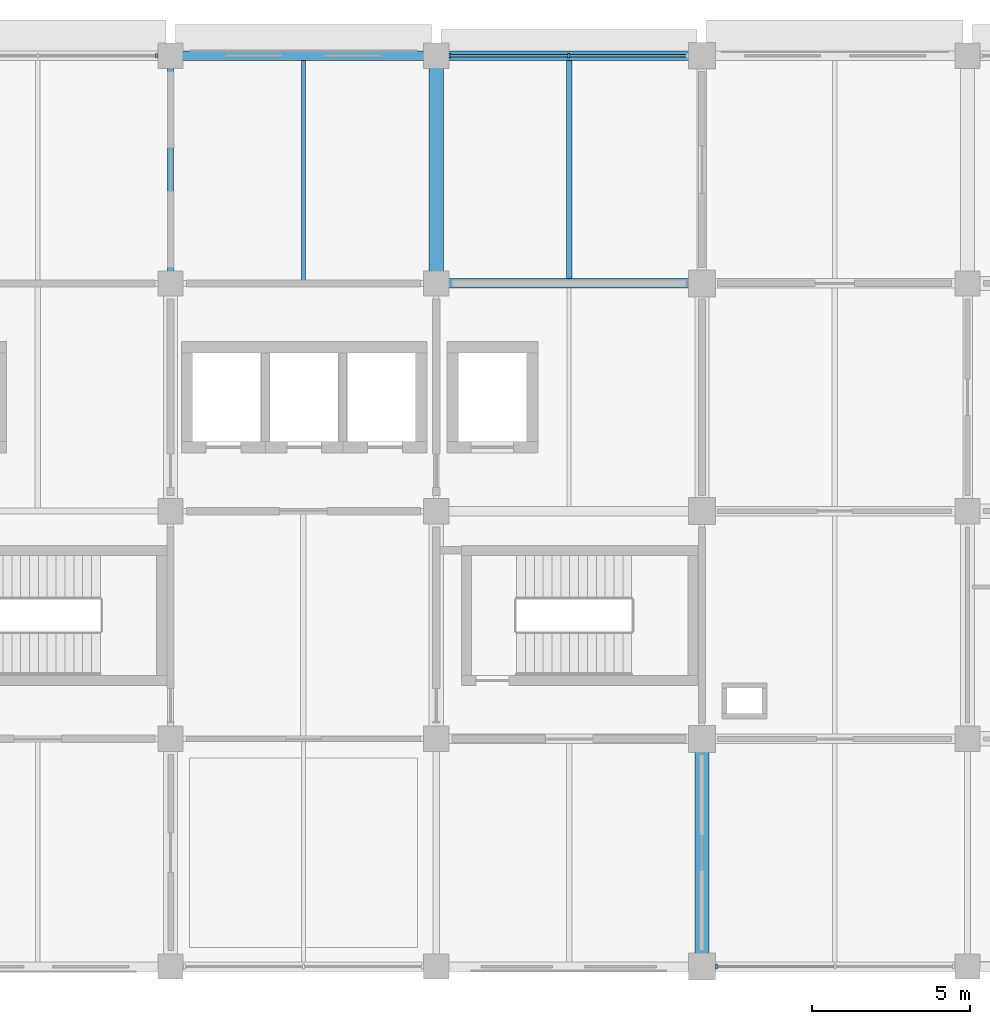
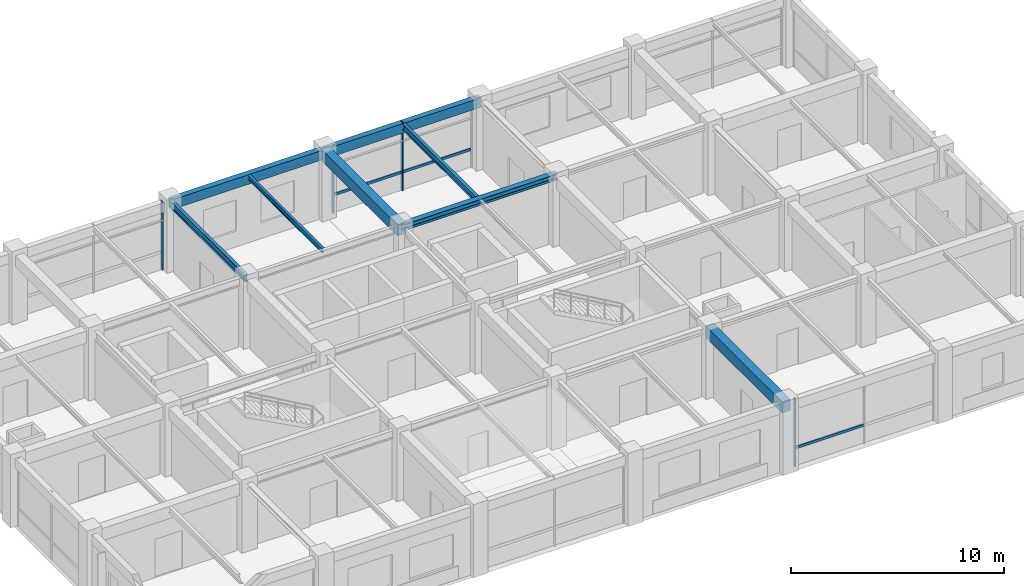
# One storey, part 5 of 13: 8 beams, 7 members, 3 elements without a shape of their own.
"""IFC4 building model written with IfcOpenShell, lengths in metres."""

from ifc_helpers import new_model, si_unit, derived_unit, direction, frame, origin, origin_2d, place, context, subcontext, project, spatial, rectangle, i_section, extrude, material, material_profile, profile_set, type_object, element, aggregate, save


model = new_model("IFC4")

# Units and contexts
model_context = context("Model", 3, precision=1e-05, world=origin(), true_north=direction((0.0, 1.0)))
body_context = subcontext(model_context, "Body", "Model", "MODEL_VIEW")
ifc_project = project(units=[si_unit("LENGTHUNIT", "METRE"), si_unit("AREAUNIT", "SQUARE_METRE"), si_unit("VOLUMEUNIT", "CUBIC_METRE"), si_unit("PLANEANGLEUNIT", "RADIAN"), si_unit("MASSUNIT", "GRAM", prefix="KILO"), derived_unit("THERMALTRANSMITTANCEUNIT", [(si_unit("MASSUNIT", "GRAM", prefix="KILO"), 1), (si_unit("TIMEUNIT", "SECOND"), -3), (si_unit("THERMODYNAMICTEMPERATUREUNIT", "KELVIN"), -1)])], contexts=[model_context])

# Site, building, storey
site_placement = place(None, origin())
site = spatial("IfcSite", under=ifc_project, at=site_placement, CompositionType="ELEMENT")
building_placement = place(site_placement, origin())
building = spatial("IfcBuilding", under=site, at=building_placement, Name="Veldstrom Oceanarium and Marine Research Institute", CompositionType="ELEMENT")
storey_placement = place(building_placement, frame((0.0, 0.0, 27.0)))
storey = spatial("IfcBuildingStorey", under=building, at=storey_placement, Name="L05", CompositionType="ELEMENT", Elevation=27.0)

# Curtain wall, member
ifc_material_1 = material(Name="Anodised Aluminium Framing", Category="aluminium")
curtain_wall_type = type_object("IfcCurtainWallType", Name="ARC-CW-CW04", PredefinedType="USERDEFINED", material=ifc_material_1)
curtain_wall_1_placement = place(storey_placement, origin())
curtain_wall_1 = element("IfcCurtainWall", 1, at=curtain_wall_1_placement, inside=storey, type_object=curtain_wall_type, Name="Curtain Wall CW04 CW-L05-093", ObjectType="Curtain wall", PredefinedType="USERDEFINED")
ifc_material_2 = material(Name="Anodised Aluminium Framing", Category="aluminium")
ifc_material_profile_1 = material_profile(ifc_material_2, rectangle(XDim=0.06494140625, YDim=0.14990234375, at=origin_2d()), Name="ALU-MUL-65x150")
ifc_profile_set_1 = profile_set([ifc_material_profile_1], Name="Anodised Aluminium Framing")
member_type_1 = type_object("IfcMemberType", Name="ARC-MUL-ML2", PredefinedType="MULLION", material=ifc_profile_set_1)
member_1_placement = place(storey_placement, frame((83.56005859375, 72.0, 0.0), z_axis=(0.0, 0.0, 1.0), x_axis=(1.0, 0.0, 0.0)))
member_1 = element("IfcMember", 2, at=member_1_placement, type_object=member_type_1, Name="Curtain Wall Mullion CW-L05-093-MUL-3", PredefinedType="MULLION", context=body_context, shape_type="SweptSolid", body=[
    extrude(rectangle(XDim=0.06494140625, YDim=0.14990234375, at=origin_2d()), origin(), (0.0, 0.0, 1.0), 3.919921875),
])
aggregate(curtain_wall_1, [member_1])

# Curtain wall, members
curtain_wall_2_placement = place(storey_placement, origin())
curtain_wall_2 = element("IfcCurtainWall", 3, at=curtain_wall_2_placement, inside=storey, type_object=curtain_wall_type, Name="Curtain Wall CW04 CW-L05-095", ObjectType="Curtain wall", PredefinedType="USERDEFINED")
member_2_placement = place(storey_placement, frame((92.840087890625, 72.0, 0.0), z_axis=(0.0, 0.0, 1.0), x_axis=(1.0, 0.0, 0.0)))
member_2 = element("IfcMember", 4, at=member_2_placement, type_object=member_type_1, Name="Curtain Wall Mullion CW-L05-095-MUL-1", PredefinedType="MULLION", context=body_context, shape_type="SweptSolid", body=[
    extrude(rectangle(XDim=0.06494140625, YDim=0.14990234375, at=origin_2d()), origin(), (0.0, 0.0, 1.0), 3.919921875),
])
member_3_placement = place(storey_placement, frame((96.58740234375, 72.0, 0.0), z_axis=(0.0, 0.0, 1.0), x_axis=(1.0, 0.0, 0.0)))
member_3 = element("IfcMember", 5, at=member_3_placement, type_object=member_type_1, Name="Curtain Wall Mullion CW-L05-095-MUL-2", PredefinedType="MULLION", context=body_context, shape_type="SweptSolid", body=[
    extrude(rectangle(XDim=0.06494140625, YDim=0.14990234375, at=origin_2d()), origin(), (0.0, 0.0, 1.0), 3.919921875),
])

# Curtain wall, member
curtain_wall_3_placement = place(storey_placement, origin())
curtain_wall_3 = element("IfcCurtainWall", 6, at=curtain_wall_3_placement, inside=storey, type_object=curtain_wall_type, Name="Curtain Wall CW04 CW-L05-096", ObjectType="Curtain wall", PredefinedType="USERDEFINED")
member_4_placement = place(storey_placement, frame((101.264892578125, 43.199951171875, 0.0), z_axis=(0.0, 0.0, 1.0), x_axis=(1.0, 0.0, 0.0)))
member_4 = element("IfcMember", 7, at=member_4_placement, type_object=member_type_1, Name="Curtain Wall Mullion CW-L05-096-MUL-1", PredefinedType="MULLION", context=body_context, shape_type="SweptSolid", body=[
    extrude(rectangle(XDim=0.06494140625, YDim=0.14990234375, at=origin_2d()), origin(), (0.0, 0.0, 1.0), 3.919921875),
])

# Member
ifc_material_3 = material(Name="Anodised Aluminium Framing", Category="aluminium")
ifc_material_profile_2 = material_profile(ifc_material_3, rectangle(XDim=0.074951171875, YDim=0.14990234375, at=origin_2d()), Name="ALU-TRN-75x150")
ifc_profile_set_2 = profile_set([ifc_material_profile_2], Name="Anodised Aluminium Framing")
member_type_2 = type_object("IfcMemberType", Name="ARC-TRN-TR1", PredefinedType="USERDEFINED", material=ifc_profile_set_2)
member_5_placement = place(storey_placement, frame((92.8798828125, 72.0, 1.050048828125), z_axis=(1.0, 0.0, 0.0), x_axis=(0.0, 1.0, 0.0)))
member_5 = element("IfcMember", 8, at=member_5_placement, type_object=member_type_2, Name="Curtain Wall Transom CW-L05-095-TRN-1", ObjectType="Transom", PredefinedType="USERDEFINED", context=body_context, shape_type="SweptSolid", body=[
    extrude(rectangle(XDim=0.074951171875, YDim=0.14990234375, at=origin_2d()), origin(), (0.0, 0.0, 1.0), 3.667724609375),
])

member_6_placement = place(storey_placement, frame((96.62744140625, 72.0, 1.050048828125), z_axis=(1.0, 0.0, 0.0), x_axis=(0.0, 1.0, 0.0)))
member_6 = element("IfcMember", 9, at=member_6_placement, type_object=member_type_2, Name="Curtain Wall Transom CW-L05-095-TRN-2", ObjectType="Transom", PredefinedType="USERDEFINED", context=body_context, shape_type="SweptSolid", body=[
    extrude(rectangle(XDim=0.074951171875, YDim=0.14990234375, at=origin_2d()), origin(), (0.0, 0.0, 1.0), 3.66748046875),
])

aggregate(curtain_wall_2, [member_2, member_3, member_5, member_6])

member_7_placement = place(storey_placement, frame((101.304931640625, 43.199951171875, 1.050048828125), z_axis=(1.0, 0.0, 0.0), x_axis=(0.0, 1.0, 0.0)))
member_7 = element("IfcMember", 10, at=member_7_placement, type_object=member_type_2, Name="Curtain Wall Transom CW-L05-096-TRN-1", ObjectType="Transom", PredefinedType="USERDEFINED", context=body_context, shape_type="SweptSolid", body=[
    extrude(rectangle(XDim=0.074951171875, YDim=0.14990234375, at=origin_2d()), origin(), (0.0, 0.0, 1.0), 3.66748046875),
])

aggregate(curtain_wall_3, [member_4, member_7])

# Beams
ifc_material_4 = material(Name="Concrete C40/50", Category="concrete")
ifc_material_profile_3 = material_profile(ifc_material_4, rectangle(XDim=0.449951171875, YDim=0.64990234375, at=origin_2d()), Name="RC-BM-450x650")
ifc_profile_set_3 = profile_set([ifc_material_profile_3], Name="Concrete C40/50")
beam_type_1 = type_object("IfcBeamType", Name="STR-BM-B05", PredefinedType="BEAM", material=ifc_profile_set_3)
for number, where, z_axis, x_axis, name in (
    (11, (92.39990234375, 64.800048828125, 3.590087890625), (0.0, 1.0, 0.0), (-1.0, 0.0, 0.0), "Primary Beam B05 L05-2219"),
    (12, (100.800048828125, 43.199951171875, 3.590087890625), (0.0, 1.0, 0.0), (-1.0, 0.0, 0.0), "Primary Beam B05 L05-2220"),
):
    element("IfcBeam", number, at=place(storey_placement, frame(where, z_axis=z_axis, x_axis=x_axis)), inside=storey, type_object=beam_type_1, Name=name, PredefinedType="BEAM", context=body_context, shape_type="SweptSolid", body=[
        extrude(rectangle(XDim=0.449951171875, YDim=0.64990234375, at=origin_2d()), origin(), (0.0, 0.0, 1.0), 7.199951171875),
    ])
ifc_material_5 = material(Name="Steel S355JR", Category="steel")
ifc_material_profile_4 = material_profile(ifc_material_5, i_section(OverallWidth=0.179931640625, OverallDepth=0.39990234375, WebThickness=0.008544921875, FlangeThickness=0.013427734375, FilletRadius=0.02099609375, at=origin_2d()), Name="IPE 400")
ifc_profile_set_4 = profile_set([ifc_material_profile_4], Name="Steel S355JR")
beam_type_2 = type_object("IfcBeamType", Name="STR-BM-SB8", PredefinedType="BEAM", material=ifc_profile_set_4)
beam_1_placement = place(storey_placement, frame((84.0, 64.800048828125, 3.715087890625), z_axis=(0.0, 1.0, 0.0), x_axis=(-1.0, 0.0, 0.0)))
element("IfcBeam", 13, at=beam_1_placement, inside=storey, type_object=beam_type_2, Name="Steel Tie Beam SB8 L05-2215", PredefinedType="BEAM", context=body_context, shape_type="SweptSolid", body=[
    extrude(i_section(OverallWidth=0.179931640625, OverallDepth=0.39990234375, WebThickness=0.008544921875, FlangeThickness=0.013427734375, FilletRadius=0.02099609375, at=origin_2d()), origin(), (0.0, 0.0, 1.0), 7.199951171875),
])
ifc_material_6 = material(Name="Steel S355JR", Category="steel")
ifc_material_profile_5 = material_profile(ifc_material_6, i_section(OverallWidth=0.300048828125, OverallDepth=0.35009765625, WebThickness=0.010009765625, FlangeThickness=0.017578125, FilletRadius=0.027099609375, at=origin_2d()), Name="HEA 360")
ifc_profile_set_5 = profile_set([ifc_material_profile_5], Name="Steel S355JR")
beam_type_3 = type_object("IfcBeamType", Name="STR-BM-SB9", PredefinedType="BEAM", material=ifc_profile_set_5)
beam_2_placement = place(storey_placement, frame((92.39990234375, 64.800048828125, 3.739990234375), z_axis=(1.0, 0.0, 0.0), x_axis=(0.0, 1.0, 0.0)))
element("IfcBeam", 14, at=beam_2_placement, inside=storey, type_object=beam_type_3, Name="Steel Floor Girder SB9 L05-2192", PredefinedType="BEAM", context=body_context, shape_type="SweptSolid", body=[
    extrude(i_section(OverallWidth=0.300048828125, OverallDepth=0.35009765625, WebThickness=0.010009765625, FlangeThickness=0.017578125, FilletRadius=0.027099609375, at=origin_2d()), origin(), (0.0, 0.0, 1.0), 8.400146484375),
])
ifc_material_7 = material(Name="Steel S355JR", Category="steel")
ifc_material_profile_6 = material_profile(ifc_material_7, i_section(OverallWidth=0.169921875, OverallDepth=0.360107421875, WebThickness=0.008056640625, FlangeThickness=0.0126953125, FilletRadius=0.01806640625, at=origin_2d()), Name="IPE 360")
ifc_profile_set_6 = profile_set([ifc_material_profile_6], Name="Steel S355JR")
beam_type_4 = type_object("IfcBeamType", Name="STR-JST-SJ1", PredefinedType="JOIST", material=ifc_profile_set_6)
beam_3_placement = place(storey_placement, frame((96.60009765625, 64.949951171875, 3.735107421875), z_axis=(0.0, 1.0, 0.0), x_axis=(-1.0, 0.0, 0.0)))
element("IfcBeam", 15, at=beam_3_placement, inside=storey, type_object=beam_type_4, Name="Secondary Joist SJ1 L05-2244", PredefinedType="JOIST", context=body_context, shape_type="SweptSolid", body=[
    extrude(i_section(OverallWidth=0.169921875, OverallDepth=0.360107421875, WebThickness=0.008056640625, FlangeThickness=0.0126953125, FilletRadius=0.01806640625, at=origin_2d()), origin(), (0.0, 0.0, 1.0), 6.900146484375),
])
ifc_material_8 = material(Name="Steel S355JR", Category="steel")
ifc_material_profile_7 = material_profile(ifc_material_8, i_section(OverallWidth=0.135009765625, OverallDepth=0.27001953125, WebThickness=0.006591796875, FlangeThickness=0.01025390625, FilletRadius=0.014892578125, at=origin_2d()), Name="IPE 270")
ifc_profile_set_7 = profile_set([ifc_material_profile_7], Name="Steel S355JR")
beam_type_5 = type_object("IfcBeamType", Name="STR-JST-SJ3", PredefinedType="JOIST", material=ifc_profile_set_7)
beam_4_placement = place(storey_placement, frame((88.199951171875, 64.889892578125, 3.780029296875), z_axis=(0.0, 1.0, 0.0), x_axis=(-1.0, 0.0, 0.0)))
element("IfcBeam", 16, at=beam_4_placement, inside=storey, type_object=beam_type_5, Name="Secondary Joist SJ3 L05-2241", PredefinedType="JOIST", context=body_context, shape_type="SweptSolid", body=[
    extrude(i_section(OverallWidth=0.135009765625, OverallDepth=0.27001953125, WebThickness=0.006591796875, FlangeThickness=0.01025390625, FilletRadius=0.014892578125, at=origin_2d()), origin(), (0.0, 0.0, 1.0), 6.960205078125),
])
ifc_material_9 = material(Name="Concrete C40/50", Category="concrete")
ifc_material_profile_8 = material_profile(ifc_material_9, rectangle(XDim=0.300048828125, YDim=0.550048828125, at=origin_2d()), Name="RC-SPN-300x550")
ifc_profile_set_8 = profile_set([ifc_material_profile_8], Name="Concrete C40/50")
beam_type_6 = type_object("IfcBeamType", Name="STR-SPN-SP2", PredefinedType="SPANDREL", material=ifc_profile_set_8)
beam_5_placement = place(storey_placement, frame((84.0, 72.0, 3.639892578125), z_axis=(1.0, 0.0, 0.0), x_axis=(0.0, 1.0, 0.0)))
element("IfcBeam", 17, at=beam_5_placement, inside=storey, type_object=beam_type_6, Name="Perimeter Spandrel SPB2 L05-2188", PredefinedType="SPANDREL", context=body_context, shape_type="SweptSolid", body=[
    extrude(rectangle(XDim=0.300048828125, YDim=0.550048828125, at=origin_2d()), origin(), (0.0, 0.0, 1.0), 8.39990234375),
])
beam_6_placement = place(storey_placement, frame((92.39990234375, 72.0, 3.639892578125), z_axis=(1.0, 0.0, 0.0), x_axis=(0.0, 1.0, 0.0)))
element("IfcBeam", 18, at=beam_6_placement, inside=storey, type_object=beam_type_6, Name="Perimeter Spandrel SPB2 L05-2193", PredefinedType="SPANDREL", context=body_context, shape_type="SweptSolid", body=[
    extrude(rectangle(XDim=0.300048828125, YDim=0.550048828125, at=origin_2d()), origin(), (0.0, 0.0, 1.0), 8.400146484375),
])

save(model, "model.ifc")
